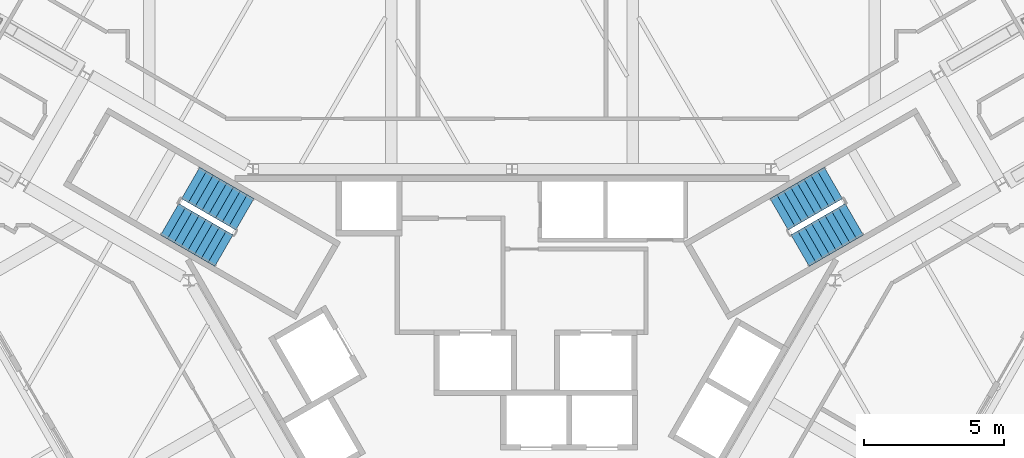
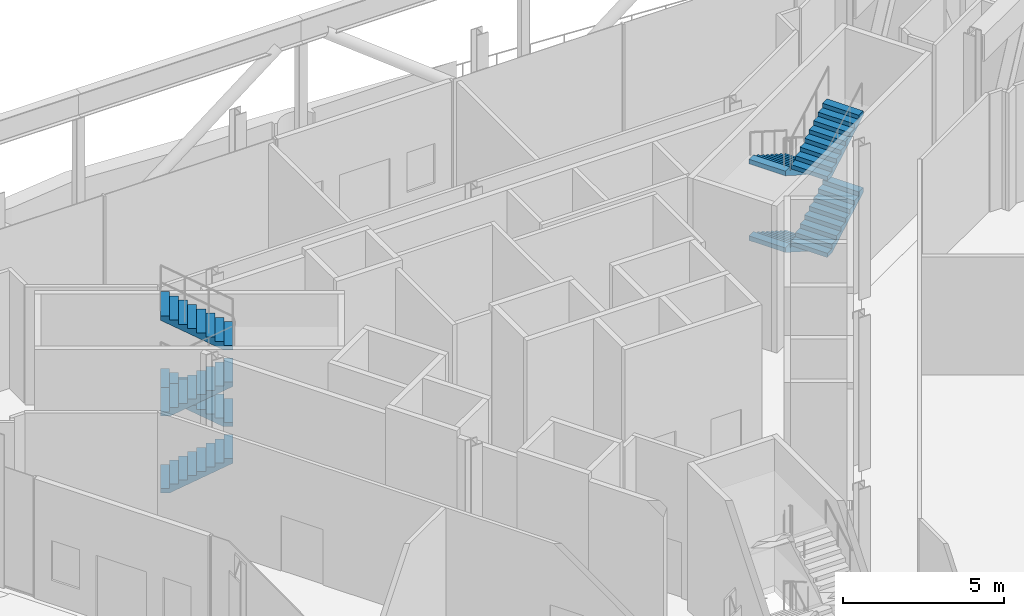
# One storey, part 18 of 24: 8 stair flights, 2 elements without a shape of their own.
"""IFC4 building model written with IfcOpenShell, lengths in metres."""

from ifc_helpers import new_model, si_unit, direction, frame, origin, place, context, subcontext, project, spatial, polyline, outline, extrude, material, type_object, element, aggregate, save


model = new_model("IFC4")

# Units and contexts
model_context = context("Model", 3, precision=1e-05, world=origin(), true_north=direction((0.0, 1.0)))
body_context = subcontext(model_context, "Body", "Model", "MODEL_VIEW")
ifc_project = project(units=[si_unit("LENGTHUNIT", "METRE"), si_unit("AREAUNIT", "SQUARE_METRE"), si_unit("VOLUMEUNIT", "CUBIC_METRE"), si_unit("PLANEANGLEUNIT", "RADIAN"), si_unit("MASSUNIT", "GRAM", prefix="KILO")], contexts=[model_context])

# Site, building, storey
site_placement = place(None, origin())
site = spatial("IfcSite", under=ifc_project, at=site_placement, CompositionType="ELEMENT")
building_placement = place(site_placement, origin())
building = spatial("IfcBuilding", under=site, at=building_placement, Name="Verrane Prism Tower", CompositionType="ELEMENT")
storey_placement = place(building_placement, frame((0.0, 0.0, 200.60009765625)))
storey = spatial("IfcBuildingStorey", under=building, at=storey_placement, Name="L50", CompositionType="ELEMENT", Elevation=200.60009765625)

# Stair, stair flights
ifc_material_1 = material(Name="Concrete C40/50", Category="concrete")
stair_type = type_object("IfcStairType", Name="Exit stair 1300 dog-leg precast concrete C40/50", PredefinedType="HALF_TURN_STAIR", material=ifc_material_1)
stair_1_placement = place(storey_placement, origin())
stair_1 = element("IfcStair", 1, at=stair_1_placement, inside=storey, type_object=stair_type, Name="Stair 1 L50", PredefinedType="HALF_TURN_STAIR")
ifc_material_2 = material(Name="Concrete C40/50", Category="concrete")
stair_flight_type = type_object("IfcStairFlightType", Name="Stair flight 1300 precast concrete C40/50", PredefinedType="STRAIGHT", material=ifc_material_2)
stair_flight_1_placement = place(storey_placement, frame((11.489501953125, 7.49951171875, 0.0), z_axis=(0.0, 0.0, 1.0), x_axis=(-0.866025403784, -0.5, 0.0)))
stair_flight_1 = element("IfcStairFlight", 2, at=stair_flight_1_placement, type_object=stair_flight_type, Name="Stair 1 flight 1", NumberOfRisers=9, NumberOfTreads=8, PredefinedType="STRAIGHT", RiserHeight=0.161111111, TreadLength=0.28, context=body_context, shape_type="SweptSolid", body=[
    extrude(outline(polyline([(0.0, 0.0), (0.0, 0.1611328125), (0.280029296875, 0.1611328125), (0.280029296875, 0.322265625), (0.56005859375, 0.322265625), (0.56005859375, 0.4833984375), (0.840087890625, 0.4833984375), (0.840087890625, 0.64453125), (1.1201171875, 0.64453125), (1.1201171875, 0.8056640625), (1.39990234375, 0.8056640625), (1.39990234375, 0.966552734375), (1.679931640625, 0.966552734375), (1.679931640625, 1.127685546875), (1.9599609375, 1.127685546875), (1.9599609375, 1.288818359375), (2.239990234375, 1.288818359375), (2.239990234375, 1.449951171875), (2.239990234375, 1.115966796875), (0.300537109375, 0.0), (0.0, 0.0)])), frame((0.0, 0.64990234375, 0.0), z_axis=(0.0, -1.0, 0.0), x_axis=(1.0, 0.0, 0.0)), (0.0, 0.0, 1.0), 1.300048828125),
])
stair_flight_2_placement = place(storey_placement, frame((10.299560546875, 5.08056640625, 1.449951171875), z_axis=(0.0, 0.0, 1.0), x_axis=(0.866025403784, 0.5, 0.0)))
stair_flight_2 = element("IfcStairFlight", 3, at=stair_flight_2_placement, type_object=stair_flight_type, Name="Stair 1 flight 2", NumberOfRisers=9, NumberOfTreads=8, PredefinedType="STRAIGHT", RiserHeight=0.161111111, TreadLength=0.28, context=body_context, shape_type="SweptSolid", body=[
    extrude(outline(polyline([(0.0, 0.0), (0.0, 0.1611328125), (0.280029296875, 0.1611328125), (0.280029296875, 0.322265625), (0.56005859375, 0.322265625), (0.56005859375, 0.4833984375), (0.840087890625, 0.4833984375), (0.840087890625, 0.64453125), (1.1201171875, 0.64453125), (1.1201171875, 0.8056640625), (1.39990234375, 0.8056640625), (1.39990234375, 0.966552734375), (1.679931640625, 0.966552734375), (1.679931640625, 1.127685546875), (1.9599609375, 1.127685546875), (1.9599609375, 1.288818359375), (2.239990234375, 1.288818359375), (2.239990234375, 1.449951171875), (2.239990234375, 1.115966796875), (0.300537109375, 0.0), (0.0, 0.0)])), frame((0.0, 0.64990234375, 0.0), z_axis=(0.0, -1.0, 0.0), x_axis=(1.0, 0.0, 0.0)), (0.0, 0.0, 1.0), 1.300048828125),
])
stair_flight_3_placement = place(storey_placement, frame((11.489501953125, 7.49951171875, 2.89990234375), z_axis=(0.0, 0.0, 1.0), x_axis=(-0.866025403784, -0.5, 0.0)))
stair_flight_3 = element("IfcStairFlight", 4, at=stair_flight_3_placement, type_object=stair_flight_type, Name="Stair 1 flight 3", NumberOfRisers=9, NumberOfTreads=8, PredefinedType="STRAIGHT", RiserHeight=0.161111111, TreadLength=0.28, context=body_context, shape_type="SweptSolid", body=[
    extrude(outline(polyline([(0.0, 0.0), (0.0, 0.1611328125), (0.280029296875, 0.1611328125), (0.280029296875, 0.322265625), (0.56005859375, 0.322265625), (0.56005859375, 0.4833984375), (0.840087890625, 0.4833984375), (0.840087890625, 0.64453125), (1.1201171875, 0.64453125), (1.1201171875, 0.8056640625), (1.39990234375, 0.8056640625), (1.39990234375, 0.966552734375), (1.679931640625, 0.966552734375), (1.679931640625, 1.127685546875), (1.9599609375, 1.127685546875), (1.9599609375, 1.288818359375), (2.239990234375, 1.288818359375), (2.239990234375, 1.449951171875), (2.239990234375, 1.115966796875), (0.300537109375, 0.0), (0.0, 0.0)])), frame((0.0, 0.64990234375, 0.0), z_axis=(0.0, -1.0, 0.0), x_axis=(1.0, 0.0, 0.0)), (0.0, 0.0, 1.0), 1.300048828125),
])
stair_flight_4_placement = place(storey_placement, frame((10.299560546875, 5.08056640625, 4.349853515625), z_axis=(0.0, 0.0, 1.0), x_axis=(0.866025403784, 0.5, 0.0)))
stair_flight_4 = element("IfcStairFlight", 5, at=stair_flight_4_placement, type_object=stair_flight_type, Name="Stair 1 flight 4", NumberOfRisers=9, NumberOfTreads=8, PredefinedType="STRAIGHT", RiserHeight=0.161111111, TreadLength=0.28, context=body_context, shape_type="SweptSolid", body=[
    extrude(outline(polyline([(0.0, 0.0), (0.0, 0.1611328125), (0.280029296875, 0.1611328125), (0.280029296875, 0.322265625), (0.56005859375, 0.322265625), (0.56005859375, 0.4833984375), (0.840087890625, 0.4833984375), (0.840087890625, 0.64453125), (1.1201171875, 0.64453125), (1.1201171875, 0.8056640625), (1.39990234375, 0.8056640625), (1.39990234375, 0.966552734375), (1.679931640625, 0.966552734375), (1.679931640625, 1.127685546875), (1.9599609375, 1.127685546875), (1.9599609375, 1.288818359375), (2.239990234375, 1.288818359375), (2.239990234375, 1.449951171875), (2.239990234375, 1.115966796875), (0.300537109375, 0.0), (0.0, 0.0)])), frame((0.0, 0.64990234375, 0.0), z_axis=(0.0, -1.0, 0.0), x_axis=(1.0, 0.0, 0.0)), (0.0, 0.0, 1.0), 1.300048828125),
])
aggregate(stair_1, [stair_flight_1, stair_flight_2, stair_flight_3, stair_flight_4])

stair_2_placement = place(storey_placement, origin())
stair_2 = element("IfcStair", 6, at=stair_2_placement, inside=storey, type_object=stair_type, Name="Stair 2 L50", PredefinedType="HALF_TURN_STAIR")
stair_flight_5_placement = place(storey_placement, frame((-12.239501953125, 6.200439453125, 0.0), z_axis=(0.0, 0.0, 1.0), x_axis=(0.866025403784, -0.5, 0.0)))
stair_flight_5 = element("IfcStairFlight", 7, at=stair_flight_5_placement, type_object=stair_flight_type, Name="Stair 2 flight 1", NumberOfRisers=9, NumberOfTreads=8, PredefinedType="STRAIGHT", RiserHeight=0.161111111, TreadLength=0.28, context=body_context, shape_type="SweptSolid", body=[
    extrude(outline(polyline([(0.0, 0.0), (0.0, 0.1611328125), (0.280029296875, 0.1611328125), (0.280029296875, 0.322265625), (0.56005859375, 0.322265625), (0.56005859375, 0.4833984375), (0.840087890625, 0.4833984375), (0.840087890625, 0.64453125), (1.1201171875, 0.64453125), (1.1201171875, 0.8056640625), (1.39990234375, 0.8056640625), (1.39990234375, 0.966552734375), (1.679931640625, 0.966552734375), (1.679931640625, 1.127685546875), (1.9599609375, 1.127685546875), (1.9599609375, 1.288818359375), (2.239990234375, 1.288818359375), (2.239990234375, 1.449951171875), (2.239990234375, 1.115966796875), (0.300537109375, 0.0), (0.0, 0.0)])), frame((0.0, 0.64990234375, 0.0), z_axis=(0.0, -1.0, 0.0), x_axis=(1.0, 0.0, 0.0)), (0.0, 0.0, 1.0), 1.300048828125),
])
stair_flight_6_placement = place(storey_placement, frame((-9.549560546875, 6.379638671875, 1.449951171875), z_axis=(0.0, 0.0, 1.0), x_axis=(-0.866025403784, 0.5, 0.0)))
stair_flight_6 = element("IfcStairFlight", 8, at=stair_flight_6_placement, type_object=stair_flight_type, Name="Stair 2 flight 2", NumberOfRisers=9, NumberOfTreads=8, PredefinedType="STRAIGHT", RiserHeight=0.161111111, TreadLength=0.28, context=body_context, shape_type="SweptSolid", body=[
    extrude(outline(polyline([(0.0, 0.0), (0.0, 0.1611328125), (0.280029296875, 0.1611328125), (0.280029296875, 0.322265625), (0.56005859375, 0.322265625), (0.56005859375, 0.4833984375), (0.840087890625, 0.4833984375), (0.840087890625, 0.64453125), (1.1201171875, 0.64453125), (1.1201171875, 0.8056640625), (1.39990234375, 0.8056640625), (1.39990234375, 0.966552734375), (1.679931640625, 0.966552734375), (1.679931640625, 1.127685546875), (1.9599609375, 1.127685546875), (1.9599609375, 1.288818359375), (2.239990234375, 1.288818359375), (2.239990234375, 1.449951171875), (2.239990234375, 1.115966796875), (0.300537109375, 0.0), (0.0, 0.0)])), frame((0.0, 0.64990234375, 0.0), z_axis=(0.0, -1.0, 0.0), x_axis=(1.0, 0.0, 0.0)), (0.0, 0.0, 1.0), 1.300048828125),
])
stair_flight_7_placement = place(storey_placement, frame((-12.239501953125, 6.200439453125, 2.89990234375), z_axis=(0.0, 0.0, 1.0), x_axis=(0.866025403784, -0.5, 0.0)))
stair_flight_7 = element("IfcStairFlight", 9, at=stair_flight_7_placement, type_object=stair_flight_type, Name="Stair 2 flight 3", NumberOfRisers=9, NumberOfTreads=8, PredefinedType="STRAIGHT", RiserHeight=0.161111111, TreadLength=0.28, context=body_context, shape_type="SweptSolid", body=[
    extrude(outline(polyline([(0.0, 0.0), (0.0, 0.1611328125), (0.280029296875, 0.1611328125), (0.280029296875, 0.322265625), (0.56005859375, 0.322265625), (0.56005859375, 0.4833984375), (0.840087890625, 0.4833984375), (0.840087890625, 0.64453125), (1.1201171875, 0.64453125), (1.1201171875, 0.8056640625), (1.39990234375, 0.8056640625), (1.39990234375, 0.966552734375), (1.679931640625, 0.966552734375), (1.679931640625, 1.127685546875), (1.9599609375, 1.127685546875), (1.9599609375, 1.288818359375), (2.239990234375, 1.288818359375), (2.239990234375, 1.449951171875), (2.239990234375, 1.115966796875), (0.300537109375, 0.0), (0.0, 0.0)])), frame((0.0, 0.64990234375, 0.0), z_axis=(0.0, -1.0, 0.0), x_axis=(1.0, 0.0, 0.0)), (0.0, 0.0, 1.0), 1.300048828125),
])
stair_flight_8_placement = place(storey_placement, frame((-9.549560546875, 6.379638671875, 4.349853515625), z_axis=(0.0, 0.0, 1.0), x_axis=(-0.866025403784, 0.5, 0.0)))
stair_flight_8 = element("IfcStairFlight", 10, at=stair_flight_8_placement, type_object=stair_flight_type, Name="Stair 2 flight 4", NumberOfRisers=9, NumberOfTreads=8, PredefinedType="STRAIGHT", RiserHeight=0.161111111, TreadLength=0.28, context=body_context, shape_type="SweptSolid", body=[
    extrude(outline(polyline([(0.0, 0.0), (0.0, 0.1611328125), (0.280029296875, 0.1611328125), (0.280029296875, 0.322265625), (0.56005859375, 0.322265625), (0.56005859375, 0.4833984375), (0.840087890625, 0.4833984375), (0.840087890625, 0.64453125), (1.1201171875, 0.64453125), (1.1201171875, 0.8056640625), (1.39990234375, 0.8056640625), (1.39990234375, 0.966552734375), (1.679931640625, 0.966552734375), (1.679931640625, 1.127685546875), (1.9599609375, 1.127685546875), (1.9599609375, 1.288818359375), (2.239990234375, 1.288818359375), (2.239990234375, 1.449951171875), (2.239990234375, 1.115966796875), (0.300537109375, 0.0), (0.0, 0.0)])), frame((0.0, 0.64990234375, 0.0), z_axis=(0.0, -1.0, 0.0), x_axis=(1.0, 0.0, 0.0)), (0.0, 0.0, 1.0), 1.300048828125),
])
aggregate(stair_2, [stair_flight_5, stair_flight_6, stair_flight_7, stair_flight_8])

save(model, "model.ifc")
